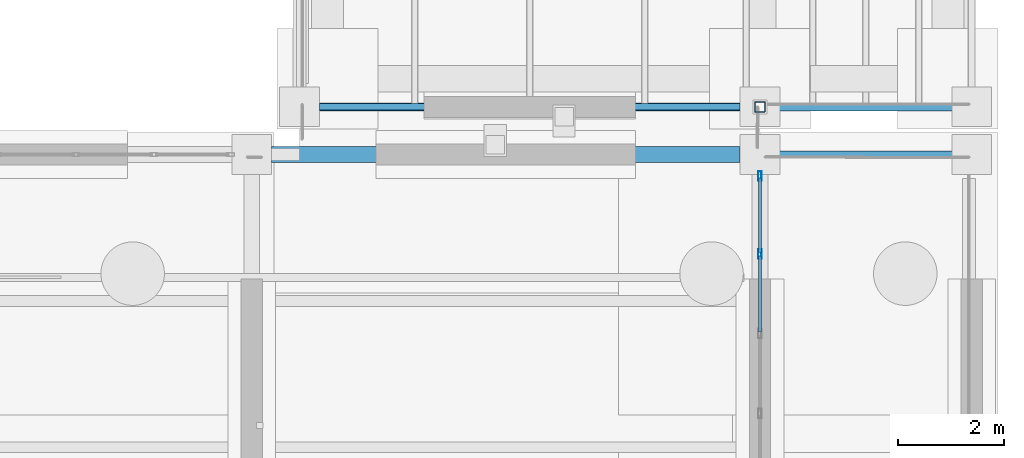
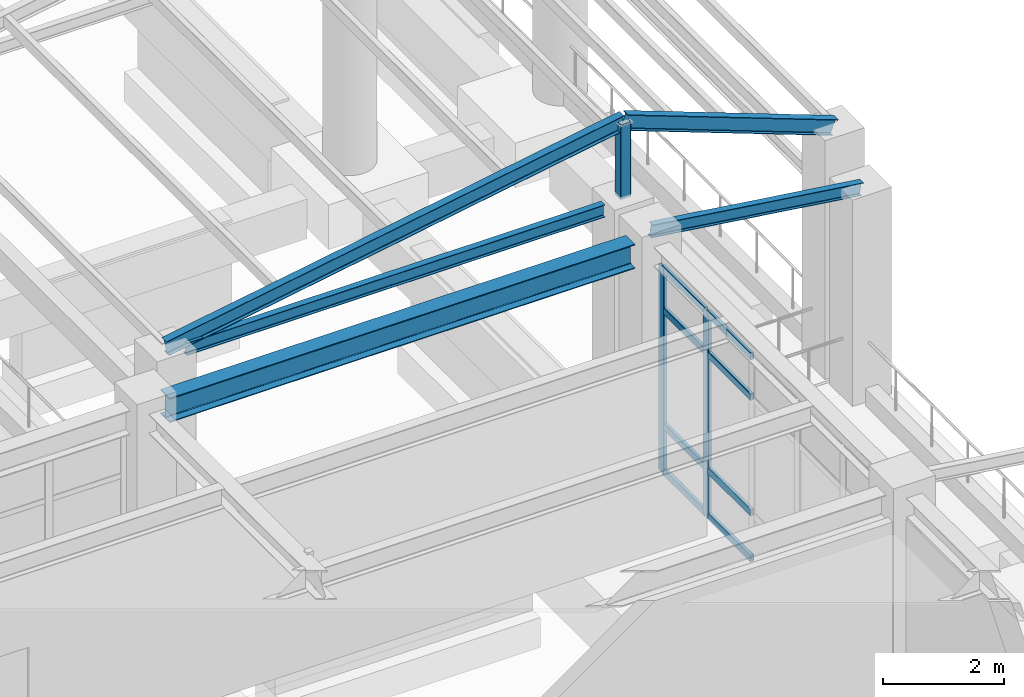
# One storey, part 57 of 111: 14 members, 2 beams, 1 element without a shape of its own.
"""IFC4 building model written with IfcOpenShell, lengths in metres."""

from ifc_helpers import new_model, si_unit, direction, frame, origin, origin_2d, place, context, subcontext, project, spatial, hollow_rectangle, i_section, extrude, material, material_profile, profile_set, type_object, element, aggregate, save


model = new_model("IFC4")

# Units and contexts
model_context = context("Model", 3, precision=1e-05, world=origin(), true_north=direction((0.0, 1.0)))
body_context = subcontext(model_context, "Body", "Model", "MODEL_VIEW")
ifc_project = project(units=[si_unit("LENGTHUNIT", "METRE"), si_unit("AREAUNIT", "SQUARE_METRE"), si_unit("VOLUMEUNIT", "CUBIC_METRE"), si_unit("PLANEANGLEUNIT", "RADIAN"), si_unit("MASSUNIT", "GRAM", prefix="KILO")], contexts=[model_context])

# Site, building, storey
site_placement = place(None, origin())
site = spatial("IfcSite", under=ifc_project, at=site_placement, CompositionType="ELEMENT")
building_placement = place(site_placement, origin())
building = spatial("IfcBuilding", under=site, at=building_placement, Name="Canglan Escarpment Cableway Terminal", CompositionType="ELEMENT")
storey_placement = place(building_placement, frame((0.0, 0.0, 4.800048828125)))
storey = spatial("IfcBuildingStorey", under=building, at=storey_placement, Name="L01", CompositionType="ELEMENT", Elevation=4.800048828125)

# Beams
ifc_material_1 = material(Name="Steel Q355B", Category="steel")
ifc_material_profile_1 = material_profile(ifc_material_1, i_section(OverallWidth=0.125, OverallDepth=0.25, WebThickness=0.006103515625, FlangeThickness=0.009033203125, FilletRadius=0.011962890625, at=origin_2d()), Name="HN 250x125x6x9")
ifc_profile_set_1 = profile_set([ifc_material_profile_1], Name="Steel Q355B")
beam_type_1 = type_object("IfcBeamType", Name="BM-CANOPY-HN250", PredefinedType="BEAM", material=ifc_profile_set_1)
beam_1_placement = place(storey_placement, frame((167.675048828125, 34.0, 4.599853515625), z_axis=(1.0, 0.0, 0.0), x_axis=(0.0, 1.0, 0.0)))
element("IfcBeam", 1, at=beam_1_placement, inside=storey, type_object=beam_type_1, Name="Colonnade tie beam RF-B3", PredefinedType="BEAM", context=body_context, shape_type="SweptSolid", body=[
    extrude(i_section(OverallWidth=0.125, OverallDepth=0.25, WebThickness=0.006103515625, FlangeThickness=0.009033203125, FilletRadius=0.011962890625, at=origin_2d()), origin(), (0.0, 0.0, 1.0), 7.949951171875),
])
ifc_material_profile_2 = material_profile(ifc_material_1, i_section(OverallWidth=0.300048828125, OverallDepth=0.488037109375, WebThickness=0.010986328125, FlangeThickness=0.01806640625, FilletRadius=0.02587890625, at=origin_2d()), Name="HM 488x300x11x18")
ifc_profile_set_2 = profile_set([ifc_material_profile_2], Name="Steel Q355B")
beam_type_2 = type_object("IfcBeamType", Name="BM-HM488", PredefinedType="BEAM", material=ifc_profile_set_2)
beam_2_placement = place(storey_placement, frame((166.77490234375, 33.10009765625, 4.285888671875), z_axis=(1.0, 0.0, 0.0), x_axis=(0.0, 1.0, 0.0)))
element("IfcBeam", 2, at=beam_2_placement, inside=storey, type_object=beam_type_2, Name="Primary structural girder B-09", PredefinedType="BEAM", context=body_context, shape_type="SweptSolid", body=[
    extrude(i_section(OverallWidth=0.300048828125, OverallDepth=0.488037109375, WebThickness=0.010986328125, FlangeThickness=0.01806640625, FilletRadius=0.02587890625, at=origin_2d()), origin(), (0.0, 0.0, 1.0), 8.85009765625),
])

# Curtain wall, members
ifc_material_2 = material(Name="Anodized bronze aluminium and Low-E double glazing", Category="aluminium")
curtain_wall_type = type_object("IfcCurtainWallType", Name="CW-BAY-7525x4125", PredefinedType="NOTDEFINED", material=ifc_material_2)
curtain_wall_placement = place(storey_placement, origin())
curtain_wall = element("IfcCurtainWall", 3, at=curtain_wall_placement, inside=storey, type_object=curtain_wall_type, Name="Classical bay-between-piers glazed curtain wall CW-24", PredefinedType="NOTDEFINED")
ifc_material_3 = material(Name="Thermally broken anodized aluminium 6063-T6", Category="aluminium")
ifc_material_profile_3 = material_profile(ifc_material_3, hollow_rectangle(XDim=0.06494140625, YDim=0.179931640625, WallThickness=0.00390625, InnerFilletRadius=0.00390625, OuterFilletRadius=0.008056640625, at=origin_2d()), Name="ALU-MULL 65x180x4")
ifc_profile_set_3 = profile_set([ifc_material_profile_3], Name="Thermally broken anodized aluminium 6063-T6")
member_type_1 = type_object("IfcMemberType", Name="CWM-03", PredefinedType="MULLION", material=ifc_profile_set_3)
member_1_placement = place(storey_placement, frame((176.0, 31.219970703125, 0.0), z_axis=(0.0, 0.0, 1.0), x_axis=(-1.0, 0.0, 0.0)))
member_1 = element("IfcMember", 4, at=member_1_placement, type_object=member_type_1, Name="CW-24 mullion 5", PredefinedType="MULLION", context=body_context, shape_type="SweptSolid", body=[
    extrude(hollow_rectangle(XDim=0.06494140625, YDim=0.179931640625, WallThickness=0.00390625, InnerFilletRadius=0.00390625, OuterFilletRadius=0.008056640625, at=origin_2d()), origin(), (0.0, 0.0, 1.0), 4.125),
])
member_2_placement = place(storey_placement, frame((176.0, 32.6923828125, 0.0), z_axis=(0.0, 0.0, 1.0), x_axis=(-1.0, 0.0, 0.0)))
member_2 = element("IfcMember", 5, at=member_2_placement, type_object=member_type_1, Name="CW-24 mullion 6", PredefinedType="MULLION", context=body_context, shape_type="SweptSolid", body=[
    extrude(hollow_rectangle(XDim=0.06494140625, YDim=0.179931640625, WallThickness=0.00390625, InnerFilletRadius=0.00390625, OuterFilletRadius=0.008056640625, at=origin_2d()), origin(), (0.0, 0.0, 1.0), 4.125),
])
ifc_material_profile_4 = material_profile(ifc_material_3, hollow_rectangle(XDim=0.06494140625, YDim=0.139892578125, WallThickness=0.00341796875, InnerFilletRadius=0.00341796875, OuterFilletRadius=0.007080078125, at=origin_2d()), Name="ALU-TRAN 65x140x3.5")
ifc_profile_set_4 = profile_set([ifc_material_profile_4], Name="Thermally broken anodized aluminium 6063-T6")
member_type_2 = type_object("IfcMemberType", Name="CWT-03", PredefinedType="USERDEFINED", material=ifc_profile_set_4)
member_3_placement = place(storey_placement, frame((176.0, 29.74755859375, 0.032470703125), z_axis=(0.0, 1.0, 0.0), x_axis=(-1.0, 0.0, 0.0)))
member_3 = element("IfcMember", 6, at=member_3_placement, type_object=member_type_2, Name="CW-24 transom 4.1", ObjectType="TRANSOM", PredefinedType="USERDEFINED", context=body_context, shape_type="SweptSolid", body=[
    extrude(hollow_rectangle(XDim=0.06494140625, YDim=0.139892578125, WallThickness=0.00341796875, InnerFilletRadius=0.00341796875, OuterFilletRadius=0.007080078125, at=origin_2d()), origin(), (0.0, 0.0, 1.0), 1.43994140625),
])
member_4_placement = place(storey_placement, frame((176.0, 29.74755859375, 0.949951171875), z_axis=(0.0, 1.0, 0.0), x_axis=(-1.0, 0.0, 0.0)))
member_4 = element("IfcMember", 7, at=member_4_placement, type_object=member_type_2, Name="CW-24 transom 4.2", ObjectType="TRANSOM", PredefinedType="USERDEFINED", context=body_context, shape_type="SweptSolid", body=[
    extrude(hollow_rectangle(XDim=0.06494140625, YDim=0.139892578125, WallThickness=0.00341796875, InnerFilletRadius=0.00341796875, OuterFilletRadius=0.007080078125, at=origin_2d()), origin(), (0.0, 0.0, 1.0), 1.43994140625),
])
member_5_placement = place(storey_placement, frame((176.0, 29.74755859375, 3.27490234375), z_axis=(0.0, 1.0, 0.0), x_axis=(-1.0, 0.0, 0.0)))
member_5 = element("IfcMember", 8, at=member_5_placement, type_object=member_type_2, Name="CW-24 transom 4.3", ObjectType="TRANSOM", PredefinedType="USERDEFINED", context=body_context, shape_type="SweptSolid", body=[
    extrude(hollow_rectangle(XDim=0.06494140625, YDim=0.139892578125, WallThickness=0.00341796875, InnerFilletRadius=0.00341796875, OuterFilletRadius=0.007080078125, at=origin_2d()), origin(), (0.0, 0.0, 1.0), 1.43994140625),
])
member_6_placement = place(storey_placement, frame((176.0, 29.74755859375, 4.092529296875), z_axis=(0.0, 1.0, 0.0), x_axis=(-1.0, 0.0, 0.0)))
member_6 = element("IfcMember", 9, at=member_6_placement, type_object=member_type_2, Name="CW-24 transom 4.4", ObjectType="TRANSOM", PredefinedType="USERDEFINED", context=body_context, shape_type="SweptSolid", body=[
    extrude(hollow_rectangle(XDim=0.06494140625, YDim=0.139892578125, WallThickness=0.00341796875, InnerFilletRadius=0.00341796875, OuterFilletRadius=0.007080078125, at=origin_2d()), origin(), (0.0, 0.0, 1.0), 1.43994140625),
])
member_7_placement = place(storey_placement, frame((176.0, 31.25244140625, 0.032470703125), z_axis=(0.0, 1.0, 0.0), x_axis=(-1.0, 0.0, 0.0)))
member_7 = element("IfcMember", 10, at=member_7_placement, type_object=member_type_2, Name="CW-24 transom 5.1", ObjectType="TRANSOM", PredefinedType="USERDEFINED", context=body_context, shape_type="SweptSolid", body=[
    extrude(hollow_rectangle(XDim=0.06494140625, YDim=0.139892578125, WallThickness=0.00341796875, InnerFilletRadius=0.00341796875, OuterFilletRadius=0.007080078125, at=origin_2d()), origin(), (0.0, 0.0, 1.0), 1.407470703125),
])
member_8_placement = place(storey_placement, frame((176.0, 31.25244140625, 0.949951171875), z_axis=(0.0, 1.0, 0.0), x_axis=(-1.0, 0.0, 0.0)))
member_8 = element("IfcMember", 11, at=member_8_placement, type_object=member_type_2, Name="CW-24 transom 5.2", ObjectType="TRANSOM", PredefinedType="USERDEFINED", context=body_context, shape_type="SweptSolid", body=[
    extrude(hollow_rectangle(XDim=0.06494140625, YDim=0.139892578125, WallThickness=0.00341796875, InnerFilletRadius=0.00341796875, OuterFilletRadius=0.007080078125, at=origin_2d()), origin(), (0.0, 0.0, 1.0), 1.407470703125),
])
member_9_placement = place(storey_placement, frame((176.0, 31.25244140625, 3.27490234375), z_axis=(0.0, 1.0, 0.0), x_axis=(-1.0, 0.0, 0.0)))
member_9 = element("IfcMember", 12, at=member_9_placement, type_object=member_type_2, Name="CW-24 transom 5.3", ObjectType="TRANSOM", PredefinedType="USERDEFINED", context=body_context, shape_type="SweptSolid", body=[
    extrude(hollow_rectangle(XDim=0.06494140625, YDim=0.139892578125, WallThickness=0.00341796875, InnerFilletRadius=0.00341796875, OuterFilletRadius=0.007080078125, at=origin_2d()), origin(), (0.0, 0.0, 1.0), 1.407470703125),
])
member_10_placement = place(storey_placement, frame((176.0, 31.25244140625, 4.092529296875), z_axis=(0.0, 1.0, 0.0), x_axis=(-1.0, 0.0, 0.0)))
member_10 = element("IfcMember", 13, at=member_10_placement, type_object=member_type_2, Name="CW-24 transom 5.4", ObjectType="TRANSOM", PredefinedType="USERDEFINED", context=body_context, shape_type="SweptSolid", body=[
    extrude(hollow_rectangle(XDim=0.06494140625, YDim=0.139892578125, WallThickness=0.00341796875, InnerFilletRadius=0.00341796875, OuterFilletRadius=0.007080078125, at=origin_2d()), origin(), (0.0, 0.0, 1.0), 1.407470703125),
])
aggregate(curtain_wall, [member_1, member_2, member_3, member_4, member_5, member_6, member_7, member_8, member_9, member_10])

# Members
ifc_material_profile_5 = material_profile(ifc_material_1, i_section(OverallWidth=0.14990234375, OverallDepth=0.300048828125, WebThickness=0.006591796875, FlangeThickness=0.009033203125, FilletRadius=0.012939453125, at=origin_2d()), Name="HN 300x150x6.5x9")
ifc_profile_set_5 = profile_set([ifc_material_profile_5], Name="Steel Q355B")
member_type_3 = type_object("IfcMemberType", Name="MB-COL-RAFT-HN300", PredefinedType="RAFTER", material=ifc_profile_set_5)
member_11_placement = place(storey_placement, frame((167.300048828125, 34.0, 4.75), z_axis=(0.985459956077, 0.0, 0.169907842574), x_axis=(0.0, 1.0, 0.0)))
element("IfcMember", 14, at=member_11_placement, inside=storey, type_object=member_type_3, Name="Colonnade pitched rafter RF-R01", PredefinedType="RAFTER", context=body_context, shape_type="SweptSolid", body=[
    extrude(i_section(OverallWidth=0.14990234375, OverallDepth=0.300048828125, WebThickness=0.006591796875, FlangeThickness=0.009033203125, FilletRadius=0.012939453125, at=origin_2d()), origin(), (0.0, 0.0, 1.0), 8.828369140625),
])
member_12_placement = place(storey_placement, frame((176.0, 34.0, 6.25), z_axis=(0.936329177569, 0.0, -0.351123441588), x_axis=(0.0, 1.0, 0.0)))
element("IfcMember", 15, at=member_12_placement, inside=storey, type_object=member_type_3, Name="Colonnade pitched rafter RF-R01", PredefinedType="RAFTER", context=body_context, shape_type="SweptSolid", body=[
    extrude(i_section(OverallWidth=0.14990234375, OverallDepth=0.300048828125, WebThickness=0.006591796875, FlangeThickness=0.009033203125, FilletRadius=0.012939453125, at=origin_2d()), origin(), (0.0, 0.0, 1.0), 4.27197265625),
])
ifc_material_profile_6 = material_profile(ifc_material_1, i_section(OverallWidth=0.125, OverallDepth=0.25, WebThickness=0.006103515625, FlangeThickness=0.009033203125, FilletRadius=0.011962890625, at=origin_2d()), Name="HN 250x125x6x9")
ifc_profile_set_6 = profile_set([ifc_material_profile_6], Name="Steel Q355B")
member_type_4 = type_object("IfcMemberType", Name="MB-PORT-RAFT-HN250", PredefinedType="RAFTER", material=ifc_profile_set_6)
member_13_placement = place(storey_placement, frame((176.0, 33.10009765625, 4.599853515625), z_axis=(0.990685366619, 0.0, -0.136170864601), x_axis=(0.0, 1.0, 0.0)))
element("IfcMember", 16, at=member_13_placement, inside=storey, type_object=member_type_4, Name="Arrival portico canopy rafter RF-R02", PredefinedType="RAFTER", context=body_context, shape_type="SweptSolid", body=[
    extrude(i_section(OverallWidth=0.125, OverallDepth=0.25, WebThickness=0.006103515625, FlangeThickness=0.009033203125, FilletRadius=0.011962890625, at=origin_2d()), origin(), (0.0, 0.0, 1.0), 4.03759765625),
])
ifc_material_profile_7 = material_profile(ifc_material_1, hollow_rectangle(XDim=0.199951171875, YDim=0.199951171875, WallThickness=0.008056640625, InnerFilletRadius=0.008056640625, OuterFilletRadius=0.01611328125, at=origin_2d()), Name="SHS 200x200x8")
ifc_profile_set_7 = profile_set([ifc_material_profile_7], Name="Steel Q355B")
member_type_5 = type_object("IfcMemberType", Name="MB-PRATT-WEB-SHS200", PredefinedType="BRACE", material=ifc_profile_set_7)
member_14_placement = place(storey_placement, frame((176.0, 34.0, 4.75), z_axis=(0.0, 0.0, 1.0), x_axis=(1.0, 0.0, 0.0)))
element("IfcMember", 17, at=member_14_placement, inside=storey, type_object=member_type_5, Name="Colonnade ridge ROOF TRUSS strut PT-WB1", PredefinedType="BRACE", context=body_context, shape_type="SweptSolid", body=[
    extrude(hollow_rectangle(XDim=0.199951171875, YDim=0.199951171875, WallThickness=0.008056640625, InnerFilletRadius=0.008056640625, OuterFilletRadius=0.01611328125, at=origin_2d()), origin(), (0.0, 0.0, 1.0), 1.5),
])

save(model, "model.ifc")
